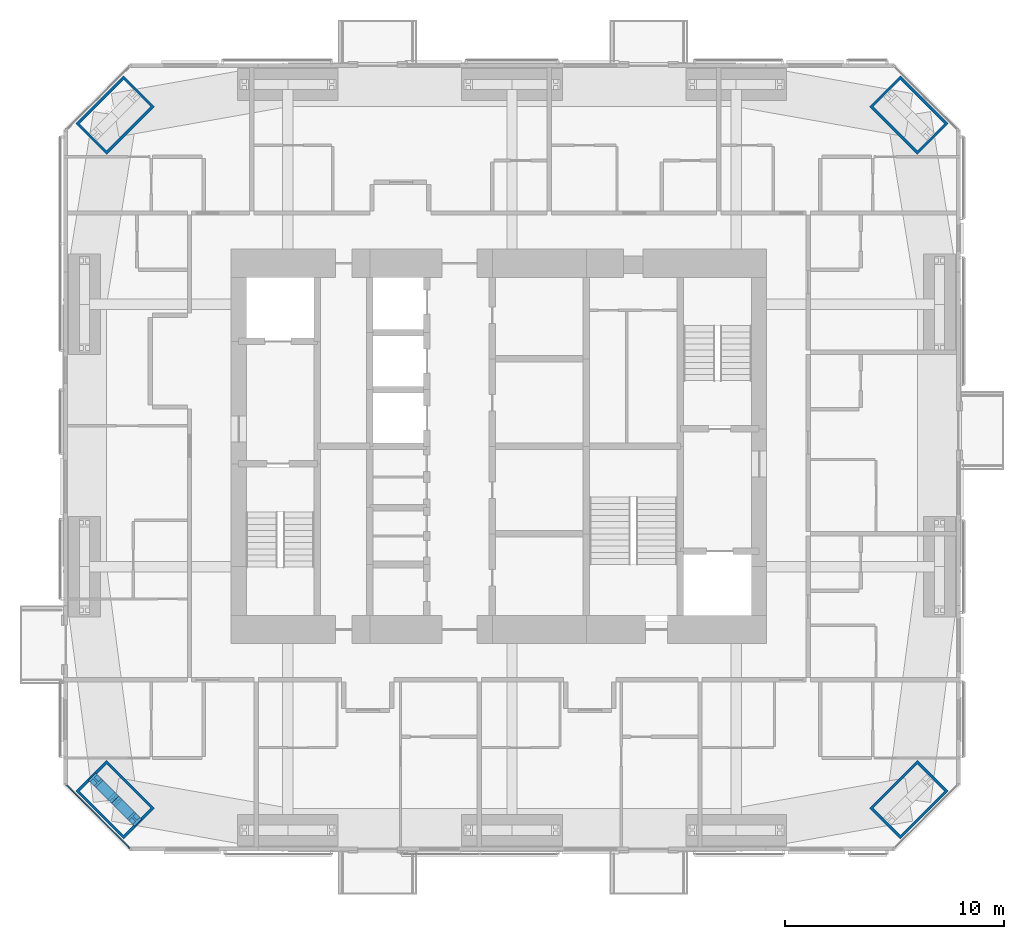
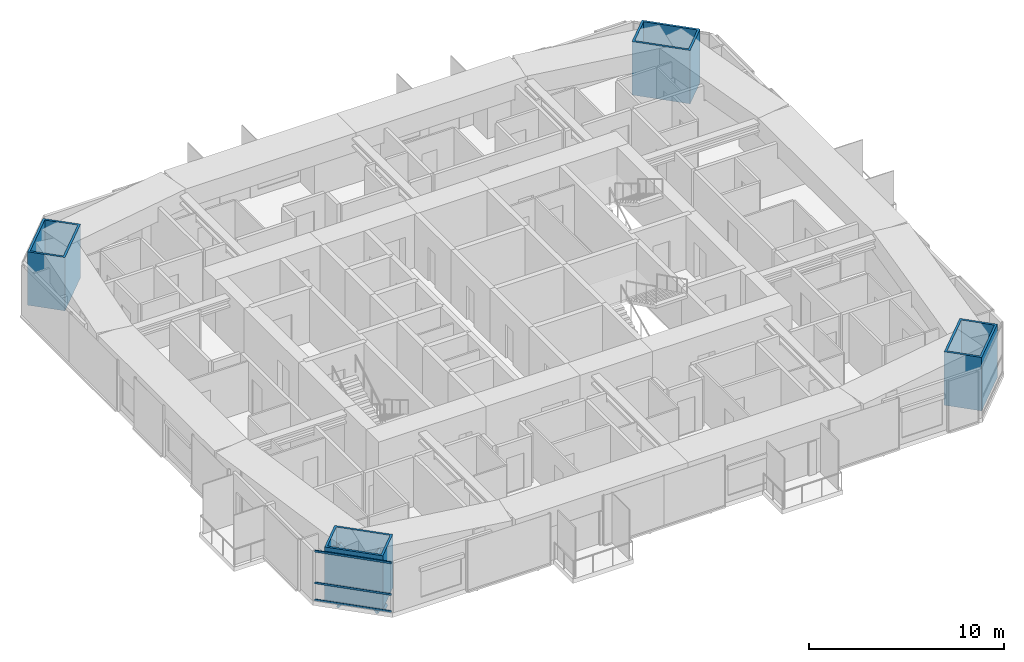
# One storey, part 1 of 22: 7 members, 4 columns, 1 element without a shape of its own.
"""IFC4 building model written with IfcOpenShell, lengths in metres."""

import ifcopenshell
import ifcopenshell.guid

model = None  # the IFC model being written
_history = None  # IfcOwnerHistory: only IFC2X3 demands one
_inside = {}  # id of a spatial element -> (the spatial element, [elements in it])
_under = {}  # id of a project, library or spatial element -> (it, [spatial elements below it])
_declared = {}  # id of a project -> (the project, [libraries it declares])
_typed = {}  # id of a type object -> (the type object, [elements of that type])
_made_of = {}  # id of a material, layer set ... -> (it, [elements and type objects made of it])


def new_model(schema):
    """Start an empty IFC model of exactly this schema.

    Asked for "IFC4X3", IfcOpenShell would pick the latest addendum, in which some entities
    have other attributes; the version numbers below select the first issue.
    IFC2X3 requires an IfcOwnerHistory on every rooted entity: one is made here for all.
    """
    global model, _history
    if schema == "IFC4X3":
        model = ifcopenshell.file(schema_version=(4, 3, 0, 0))
    else:
        model = ifcopenshell.file(schema=schema)
    _inside.clear()
    _under.clear()
    _declared.clear()
    _typed.clear()
    _made_of.clear()
    _history = None
    if model.schema == "IFC2X3":
        org = make("IfcOrganization", Name="unknown")
        user = make(
            "IfcPersonAndOrganization",
            ThePerson=make("IfcPerson", FamilyName="unknown"),
            TheOrganization=org,
        )
        app = make(
            "IfcApplication",
            ApplicationDeveloper=org,
            Version="unknown",
            ApplicationFullName="unknown",
            ApplicationIdentifier="unknown",
        )
        _history = make(
            "IfcOwnerHistory",
            OwningUser=user,
            OwningApplication=app,
            ChangeAction="ADDED",
            CreationDate=0,
        )
    return model


def make(cls, **values):
    """One entity of the class cls with the attributes given. An attribute that is None is left unset."""
    return model.create_entity(
        cls, **{name: value for name, value in values.items() if value is not None}
    )


def rooted(cls, **values):
    """An entity with a GlobalId (a new one), such as an element, a storey or a relation."""
    return make(cls, GlobalId=ifcopenshell.guid.new(), OwnerHistory=_history, **values)


def si_unit(unit_type, name, prefix=None):
    """IfcSIUnit, for example si_unit("LENGTHUNIT", "METRE", prefix="MILLI")."""
    return make("IfcSIUnit", UnitType=unit_type, Prefix=prefix, Name=name)


def assignment(units):
    """IfcUnitAssignment: the units of a project."""
    return None if units is None else make("IfcUnitAssignment", Units=units)


def point(xyz):
    """IfcCartesianPoint."""
    return None if xyz is None else make("IfcCartesianPoint", Coordinates=xyz)


def direction(xyz):
    """IfcDirection."""
    return None if xyz is None else make("IfcDirection", DirectionRatios=xyz)


def frame(location, z_axis=None, x_axis=None):
    """IfcAxis2Placement3D, a coordinate frame: its origin and axes. An axis left out is left unset."""
    return make(
        "IfcAxis2Placement3D",
        Location=point(location),
        Axis=direction(z_axis),
        RefDirection=direction(x_axis),
    )


def frame_2d(location, x_axis=None):
    """IfcAxis2Placement2D, a coordinate frame in the plane: its origin and x axis."""
    return make(
        "IfcAxis2Placement2D", Location=point(location), RefDirection=direction(x_axis)
    )


def origin():
    """The frame at (0, 0, 0) with its axes left unset."""
    return frame((0.0, 0.0, 0.0))


def origin_2d():
    """The frame at (0, 0) in the plane with its x axis left unset."""
    return frame_2d((0.0, 0.0))


def place(relative_to, where):
    """IfcLocalPlacement: puts the frame where relative to a parent placement (None: the world)."""
    return make(
        "IfcLocalPlacement", PlacementRelTo=relative_to, RelativePlacement=where
    )


def context(
    kind, dimensions, precision=None, world=None, true_north=None, identifier=None
):
    """IfcGeometricRepresentationContext, for example the 3D "Model" context."""
    return make(
        "IfcGeometricRepresentationContext",
        ContextIdentifier=identifier,
        ContextType=kind,
        CoordinateSpaceDimension=dimensions,
        Precision=precision,
        WorldCoordinateSystem=world,
        TrueNorth=true_north,
    )


def subcontext(parent, identifier, kind, view, scale=None):
    """IfcGeometricRepresentationSubContext, for example "Body" below "Model"."""
    return make(
        "IfcGeometricRepresentationSubContext",
        ContextIdentifier=identifier,
        ContextType=kind,
        ParentContext=parent,
        TargetScale=scale,
        TargetView=view,
    )


def project(units=None, contexts=None):
    """IfcProject with its units and contexts."""
    return rooted(
        "IfcProject",
        Name="project",
        RepresentationContexts=contexts,
        UnitsInContext=assignment(units),
    )


def spatial(cls, under=None, at=None, **own):
    """A site, building, storey or space (cls), placed at a placement, below another one or the project."""
    s = rooted(cls, ObjectPlacement=at, **own)
    if under is not None:
        _under.setdefault(under.id(), (under, []))[1].append(s)
    return s


def profile(cls, at=None, kind="AREA", **sizes):
    """A parametric profile (cls). Its sizes go by their IFC names, for example OverallWidth=200.0."""
    return make(cls, ProfileType=kind, Position=at, **sizes)


def rectangle(**sizes):
    """IfcRectangleProfileDef."""
    return profile("IfcRectangleProfileDef", **sizes)


def hollow_rectangle(**sizes):
    """IfcRectangleHollowProfileDef."""
    return profile("IfcRectangleHollowProfileDef", **sizes)


def i_section(**sizes):
    """IfcIShapeProfileDef."""
    return profile("IfcIShapeProfileDef", **sizes)


def extrude(swept, where, along, depth):
    """IfcExtrudedAreaSolid: the profile swept, set in the frame where, extruded along a direction by depth."""
    return make(
        "IfcExtrudedAreaSolid",
        SweptArea=swept,
        Position=where,
        ExtrudedDirection=direction(along),
        Depth=depth,
    )


def shape(context_of_items, identifier, shape_type, items):
    """IfcShapeRepresentation: the items that make up one representation, for example the "Body"."""
    return make(
        "IfcShapeRepresentation",
        ContextOfItems=context_of_items,
        RepresentationIdentifier=identifier,
        RepresentationType=shape_type,
        Items=items,
    )


def material(Name=None, Category=None):
    """IfcMaterial."""
    return make("IfcMaterial", Name=Name, Category=Category)


def material_profile(
    of_material, cross_section, Name=None, Category=None, Priority=None
):
    """IfcMaterialProfile: a cross section and its material."""
    return make(
        "IfcMaterialProfile",
        Name=Name,
        Material=of_material,
        Profile=cross_section,
        Priority=Priority,
        Category=Category,
    )


def profile_set(profiles, Name=None, composite=None):
    """IfcMaterialProfileSet."""
    return make(
        "IfcMaterialProfileSet",
        Name=Name,
        MaterialProfiles=profiles,
        CompositeProfile=composite,
    )


def made_of(thing, what):
    """Note that an element or type object is made of a material, layer set ...; save() writes the relation."""
    if what is not None:
        _made_of.setdefault(what.id(), (what, []))[1].append(thing)
    return thing


def type_object(cls, material=None, **own):
    """A type object (cls), such as IfcWallType, which elements share."""
    return made_of(rooted(cls, **own), material)


def element(
    cls,
    number,
    at=None,
    inside=None,
    cuts=None,
    type_object=None,
    material=None,
    context=None,
    identifier="Body",
    shape_type=None,
    held_by="IfcProductDefinitionShape",
    body=None,
    shapes=None,
    **own,
):
    """One element of the class cls, such as IfcWall. Its Tag is "e" and its number.

    at: its placement. inside: the storey or other place that contains it. cuts: it is an
    opening in that element (IfcRelVoidsElement). A single representation is given by context,
    identifier, shape_type and body (its items); several are given by shapes. held_by: the class
    of the entity that holds the representations. save() writes the other relations.
    """
    e = rooted(cls, Tag="e%d" % number, ObjectPlacement=at, **own)
    if body is not None:
        shapes = [shape(context, identifier, shape_type, body)]
    if shapes is not None:
        e.Representation = make(held_by, Representations=shapes)
    if inside is not None:
        _inside.setdefault(inside.id(), (inside, []))[1].append(e)
    if cuts is not None:
        rooted(
            "IfcRelVoidsElement", RelatingBuildingElement=cuts, RelatedOpeningElement=e
        )
    if type_object is not None:
        _typed.setdefault(type_object.id(), (type_object, []))[1].append(e)
    return made_of(e, material)


def aggregate(whole, parts):
    """IfcRelAggregates: a whole, such as a stair, and the parts it consists of."""
    return rooted("IfcRelAggregates", RelatingObject=whole, RelatedObjects=parts)


def save(model, path):
    """Write the relations noted so far, then the file.

    IfcRelAggregates (storeys below a building ...), IfcRelContainedInSpatialStructure (elements
    in a storey), IfcRelDefinesByType, IfcRelAssociatesMaterial and IfcRelDeclares: one each for
    every whole, place, type object, material and project.
    """
    for whole, parts in _under.values():
        aggregate(whole, parts)
    for where, things in _inside.values():
        rooted(
            "IfcRelContainedInSpatialStructure",
            RelatedElements=things,
            RelatingStructure=where,
        )
    for kind, things in _typed.values():
        rooted("IfcRelDefinesByType", RelatedObjects=things, RelatingType=kind)
    for what, things in _made_of.values():
        rooted("IfcRelAssociatesMaterial", RelatedObjects=things, RelatingMaterial=what)
    for by, libraries in _declared.values():
        rooted("IfcRelDeclares", RelatingContext=by, RelatedDefinitions=libraries)
    model.write(path)


model = new_model("IFC4")

# Units and contexts
model_context = context("Model", 3, precision=1e-05, world=origin(), true_north=direction((0.0, 1.0)))
body_context = subcontext(model_context, "Body", "Model", "MODEL_VIEW")
ifc_project = project(units=[si_unit("LENGTHUNIT", "METRE"), si_unit("AREAUNIT", "SQUARE_METRE"), si_unit("VOLUMEUNIT", "CUBIC_METRE"), si_unit("PLANEANGLEUNIT", "RADIAN"), si_unit("MASSUNIT", "GRAM", prefix="KILO")], contexts=[model_context])

# Site, building, storey
site_placement = place(None, origin())
site = spatial("IfcSite", under=ifc_project, at=site_placement, CompositionType="ELEMENT")
building_placement = place(site_placement, origin())
building = spatial("IfcBuilding", under=site, at=building_placement, Name="Jalousie Tower", CompositionType="ELEMENT")
storey_placement = place(building_placement, frame((0.0, 0.0, 154.35009765625)))
storey = spatial("IfcBuildingStorey", under=building, at=storey_placement, Name="L41", CompositionType="ELEMENT", Elevation=154.35009765625)

# Columns
ifc_material_1 = material(Name="Steel EN 10025-2 S355J2 plate", Category="steel")
ifc_material_profile_1 = material_profile(ifc_material_1, hollow_rectangle(XDim=2.0, YDim=3.10009765625, WallThickness=0.125, at=origin_2d()), Name="BOX 3100x2000x125")
ifc_profile_set_1 = profile_set([ifc_material_profile_1], Name="Steel EN 10025-2 S355J2 plate")
column_type = type_object("IfcColumnType", Name="BUILT-UP BOX CORNER COLUMN BOX 3100x2000x125", PredefinedType="COLUMN", material=ifc_profile_set_1)
for number, where, z_axis, x_axis, name in (
    (1, (14.348388671875, 2.348388671875, 0.0), (0.0, 0.0, 1.0), (0.707106781187, 0.707106781187, 0.0), "Corner column 01 L41"),
    (2, (50.651611328125, 2.348388671875, 0.0), (0.0, 0.0, 1.0), (-0.707106781187, 0.707106781187, 0.0), "Corner column 05 L41"),
    (3, (50.651611328125, 33.651611328125, 0.0), (0.0, 0.0, 1.0), (-0.707106781187, -0.707106781187, 0.0), "Corner column 08 L41"),
    (4, (14.348388671875, 33.651611328125, 0.0), (0.0, 0.0, 1.0), (0.707106781187, -0.707106781187, 0.0), "Corner column 12 L41"),
):
    element("IfcColumn", number, at=place(storey_placement, frame(where, z_axis=z_axis, x_axis=x_axis)), inside=storey, type_object=column_type, Name=name, PredefinedType="COLUMN", context=body_context, shape_type="SweptSolid", body=[
        extrude(hollow_rectangle(XDim=2.0, YDim=3.10009765625, WallThickness=0.125, at=origin_2d()), origin(), (0.0, 0.0, 1.0), 3.349853515625),
    ])

# Curtain wall, members
ifc_material_2 = material(Name="Aluminium curtain wall", Category="aluminium")
curtain_wall_type = type_object("IfcCurtainWallType", Name="CORNER WINDOW WALL", PredefinedType="USERDEFINED", material=ifc_material_2)
curtain_wall_placement = place(storey_placement, origin())
curtain_wall = element("IfcCurtainWall", 5, at=curtain_wall_placement, inside=storey, type_object=curtain_wall_type, Name="Corner Window Wall L41 8", ObjectType="CORNER WINDOW WALL", PredefinedType="USERDEFINED")
ifc_material_3 = material(Name="Aluminium transom", Category="aluminium")
ifc_material_profile_2 = material_profile(ifc_material_3, rectangle(XDim=0.06005859375, YDim=0.1201171875, at=origin_2d()), Name="TRANSOM 60x120")
ifc_profile_set_2 = profile_set([ifc_material_profile_2], Name="Aluminium transom")
member_type_1 = type_object("IfcMemberType", Name="CORNER WINDOW WALL TRANSOM", PredefinedType="USERDEFINED", material=ifc_profile_set_2)
member_1_placement = place(storey_placement, frame((12.1298828125, 3.0087890625, 0.02978515625), z_axis=(0.707106781187, -0.707106781187, 0.0), x_axis=(0.707106781187, 0.707106781187, 0.0)))
member_1 = element("IfcMember", 6, at=member_1_placement, type_object=member_type_1, Name="CW-C transom 1.1", ObjectType="TRANSOM", PredefinedType="USERDEFINED", context=body_context, shape_type="SweptSolid", body=[
    extrude(rectangle(XDim=0.06005859375, YDim=0.1201171875, at=origin_2d()), origin(), (0.0, 0.0, 1.0), 4.0712890625),
])
member_2_placement = place(storey_placement, frame((12.1298828125, 3.0087890625, 1.099853515625), z_axis=(0.707106781187, -0.707106781187, 0.0), x_axis=(0.707106781187, 0.707106781187, 0.0)))
member_2 = element("IfcMember", 7, at=member_2_placement, type_object=member_type_1, Name="CW-C transom 1.2", ObjectType="TRANSOM", PredefinedType="USERDEFINED", context=body_context, shape_type="SweptSolid", body=[
    extrude(rectangle(XDim=0.06005859375, YDim=0.1201171875, at=origin_2d()), origin(), (0.0, 0.0, 1.0), 4.0712890625),
])
member_3_placement = place(storey_placement, frame((12.1298828125, 3.0087890625, 3.079833984375), z_axis=(0.707106781187, -0.707106781187, 0.0), x_axis=(0.707106781187, 0.707106781187, 0.0)))
member_3 = element("IfcMember", 8, at=member_3_placement, type_object=member_type_1, Name="CW-C transom 1.3", ObjectType="TRANSOM", PredefinedType="USERDEFINED", context=body_context, shape_type="SweptSolid", body=[
    extrude(rectangle(XDim=0.06005859375, YDim=0.1201171875, at=origin_2d()), origin(), (0.0, 0.0, 1.0), 4.0712890625),
])
aggregate(curtain_wall, [member_1, member_2, member_3])

# Members
ifc_material_4 = material(Name="Steel ASTM A992 Grade 50", Category="steel")
ifc_material_profile_3 = material_profile(ifc_material_4, i_section(OverallWidth=0.472412109375, OverallDepth=0.5791015625, WebThickness=0.094970703125, FlangeThickness=0.1298828125, at=origin_2d()), Name="W14X808")
ifc_profile_set_3 = profile_set([ifc_material_profile_3], Name="Steel ASTM A992 Grade 50")
member_type_2 = type_object("IfcMemberType", Name="PERIMETER BRACE W14X808", PredefinedType="BRACE", material=ifc_profile_set_3)
for number, where, z_axis, x_axis, name in (
    (9, (13.464599609375, 3.232421875, -0.75), (0.410949221222, -0.411062743107, 0.813724866774), (0.707204427637, 0.70700912125, 0.0), "Perimeter brace 01 L41 part 1"),
    (10, (14.348388671875, 2.348388671875, 1.0), (0.411062743107, -0.410949221222, 0.813724866774), (0.70700912125, 0.707204427637, 0.0), "Perimeter brace 01 L41 part 2"),
    (11, (15.232421875, 1.464599609375, -0.75), (-0.411062743107, 0.410949221222, 0.813724866774), (-0.70700912125, -0.707204427637, 0.0), "Perimeter brace 01 L41 part 3"),
    (12, (14.348388671875, 2.348388671875, 1.0), (-0.410949221222, 0.411062743107, 0.813724866774), (-0.707204427637, -0.70700912125, 0.0), "Perimeter brace 01 L41 part 4"),
):
    element("IfcMember", number, at=place(storey_placement, frame(where, z_axis=z_axis, x_axis=x_axis)), inside=storey, type_object=member_type_2, Name=name, PredefinedType="BRACE", context=body_context, shape_type="SweptSolid", body=[
        extrude(i_section(OverallWidth=0.472412109375, OverallDepth=0.5791015625, WebThickness=0.094970703125, FlangeThickness=0.1298828125, at=origin_2d()), origin(), (0.0, 0.0, 1.0), 2.150634765625),
    ])

save(model, "model.ifc")
